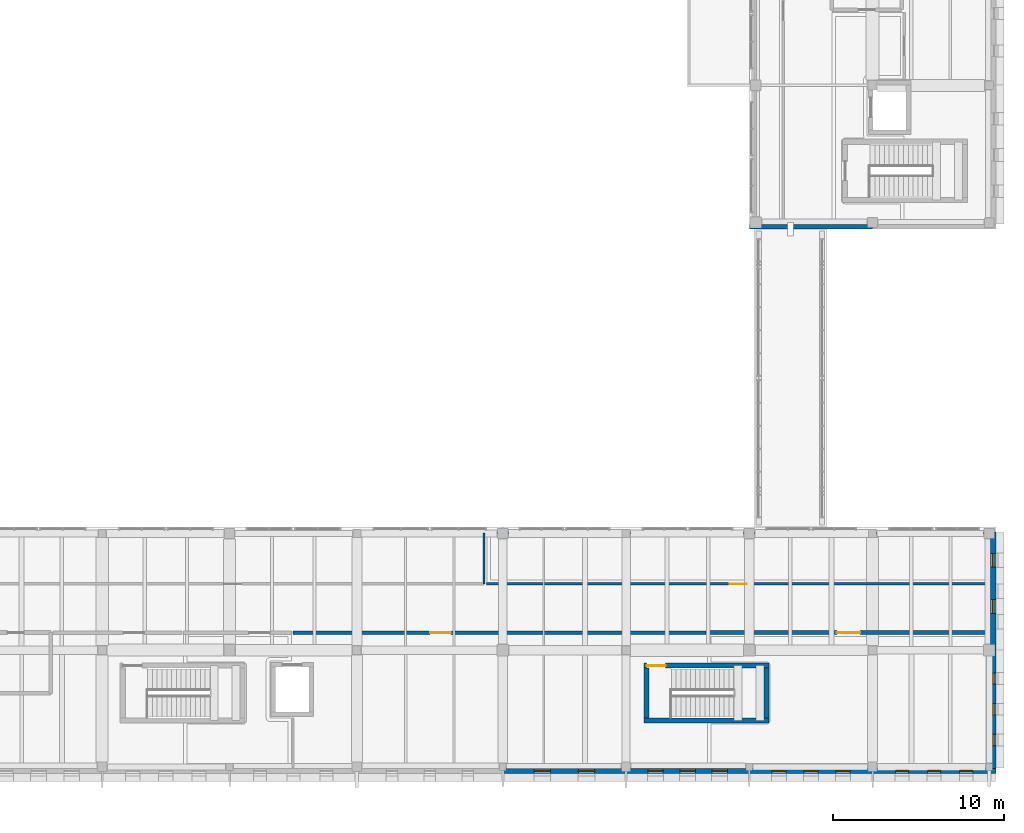
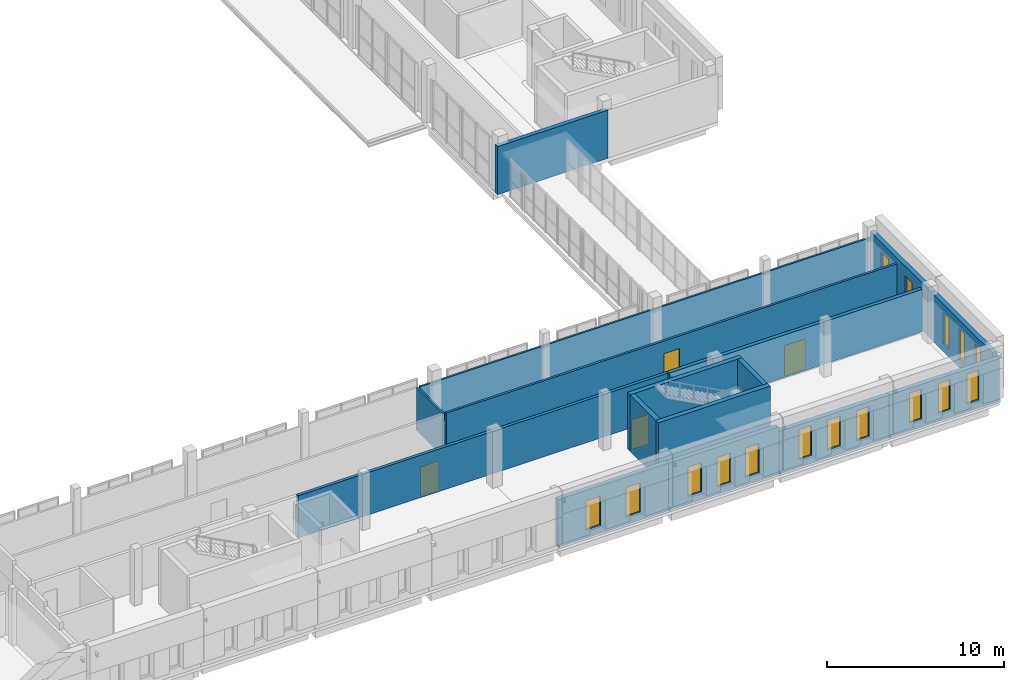
# One storey, part 61 of 76: 16 walls, 16 windows, 4 doors, 20 openings.
"""IFC4 building model written with IfcOpenShell, lengths in metres."""

import ifcopenshell
import ifcopenshell.guid

model = None  # the IFC model being written
_history = None  # IfcOwnerHistory: only IFC2X3 demands one
_inside = {}  # id of a spatial element -> (the spatial element, [elements in it])
_under = {}  # id of a project, library or spatial element -> (it, [spatial elements below it])
_declared = {}  # id of a project -> (the project, [libraries it declares])
_typed = {}  # id of a type object -> (the type object, [elements of that type])
_made_of = {}  # id of a material, layer set ... -> (it, [elements and type objects made of it])


def new_model(schema):
    """Start an empty IFC model of exactly this schema.

    Asked for "IFC4X3", IfcOpenShell would pick the latest addendum, in which some entities
    have other attributes; the version numbers below select the first issue.
    IFC2X3 requires an IfcOwnerHistory on every rooted entity: one is made here for all.
    """
    global model, _history
    if schema == "IFC4X3":
        model = ifcopenshell.file(schema_version=(4, 3, 0, 0))
    else:
        model = ifcopenshell.file(schema=schema)
    _inside.clear()
    _under.clear()
    _declared.clear()
    _typed.clear()
    _made_of.clear()
    _history = None
    if model.schema == "IFC2X3":
        org = make("IfcOrganization", Name="unknown")
        user = make(
            "IfcPersonAndOrganization",
            ThePerson=make("IfcPerson", FamilyName="unknown"),
            TheOrganization=org,
        )
        app = make(
            "IfcApplication",
            ApplicationDeveloper=org,
            Version="unknown",
            ApplicationFullName="unknown",
            ApplicationIdentifier="unknown",
        )
        _history = make(
            "IfcOwnerHistory",
            OwningUser=user,
            OwningApplication=app,
            ChangeAction="ADDED",
            CreationDate=0,
        )
    return model


def make(cls, **values):
    """One entity of the class cls with the attributes given. An attribute that is None is left unset."""
    return model.create_entity(
        cls, **{name: value for name, value in values.items() if value is not None}
    )


def rooted(cls, **values):
    """An entity with a GlobalId (a new one), such as an element, a storey or a relation."""
    return make(cls, GlobalId=ifcopenshell.guid.new(), OwnerHistory=_history, **values)


def si_unit(unit_type, name, prefix=None):
    """IfcSIUnit, for example si_unit("LENGTHUNIT", "METRE", prefix="MILLI")."""
    return make("IfcSIUnit", UnitType=unit_type, Prefix=prefix, Name=name)


def assignment(units):
    """IfcUnitAssignment: the units of a project."""
    return None if units is None else make("IfcUnitAssignment", Units=units)


def point(xyz):
    """IfcCartesianPoint."""
    return None if xyz is None else make("IfcCartesianPoint", Coordinates=xyz)


def direction(xyz):
    """IfcDirection."""
    return None if xyz is None else make("IfcDirection", DirectionRatios=xyz)


def frame(location, z_axis=None, x_axis=None):
    """IfcAxis2Placement3D, a coordinate frame: its origin and axes. An axis left out is left unset."""
    return make(
        "IfcAxis2Placement3D",
        Location=point(location),
        Axis=direction(z_axis),
        RefDirection=direction(x_axis),
    )


def frame_2d(location, x_axis=None):
    """IfcAxis2Placement2D, a coordinate frame in the plane: its origin and x axis."""
    return make(
        "IfcAxis2Placement2D", Location=point(location), RefDirection=direction(x_axis)
    )


def origin():
    """The frame at (0, 0, 0) with its axes left unset."""
    return frame((0.0, 0.0, 0.0))


def place(relative_to, where):
    """IfcLocalPlacement: puts the frame where relative to a parent placement (None: the world)."""
    return make(
        "IfcLocalPlacement", PlacementRelTo=relative_to, RelativePlacement=where
    )


def context(
    kind, dimensions, precision=None, world=None, true_north=None, identifier=None
):
    """IfcGeometricRepresentationContext, for example the 3D "Model" context."""
    return make(
        "IfcGeometricRepresentationContext",
        ContextIdentifier=identifier,
        ContextType=kind,
        CoordinateSpaceDimension=dimensions,
        Precision=precision,
        WorldCoordinateSystem=world,
        TrueNorth=true_north,
    )


def subcontext(parent, identifier, kind, view, scale=None):
    """IfcGeometricRepresentationSubContext, for example "Body" below "Model"."""
    return make(
        "IfcGeometricRepresentationSubContext",
        ContextIdentifier=identifier,
        ContextType=kind,
        ParentContext=parent,
        TargetScale=scale,
        TargetView=view,
    )


def project(units=None, contexts=None):
    """IfcProject with its units and contexts."""
    return rooted(
        "IfcProject",
        Name="project",
        RepresentationContexts=contexts,
        UnitsInContext=assignment(units),
    )


def spatial(cls, under=None, at=None, **own):
    """A site, building, storey or space (cls), placed at a placement, below another one or the project."""
    s = rooted(cls, ObjectPlacement=at, **own)
    if under is not None:
        _under.setdefault(under.id(), (under, []))[1].append(s)
    return s


def profile(cls, at=None, kind="AREA", **sizes):
    """A parametric profile (cls). Its sizes go by their IFC names, for example OverallWidth=200.0."""
    return make(cls, ProfileType=kind, Position=at, **sizes)


def rectangle(**sizes):
    """IfcRectangleProfileDef."""
    return profile("IfcRectangleProfileDef", **sizes)


def extrude(swept, where, along, depth):
    """IfcExtrudedAreaSolid: the profile swept, set in the frame where, extruded along a direction by depth."""
    return make(
        "IfcExtrudedAreaSolid",
        SweptArea=swept,
        Position=where,
        ExtrudedDirection=direction(along),
        Depth=depth,
    )


def shape(context_of_items, identifier, shape_type, items):
    """IfcShapeRepresentation: the items that make up one representation, for example the "Body"."""
    return make(
        "IfcShapeRepresentation",
        ContextOfItems=context_of_items,
        RepresentationIdentifier=identifier,
        RepresentationType=shape_type,
        Items=items,
    )


def material(Name=None, Category=None):
    """IfcMaterial."""
    return make("IfcMaterial", Name=Name, Category=Category)


def layer(
    of_material, thickness, ventilated=None, Name=None, Category=None, Priority=None
):
    """IfcMaterialLayer: one layer of a wall or slab, of a material (None: an air gap)."""
    return make(
        "IfcMaterialLayer",
        Material=of_material,
        LayerThickness=thickness,
        IsVentilated=ventilated,
        Name=Name,
        Category=Category,
        Priority=Priority,
    )


def layer_set(layers, Name=None):
    """IfcMaterialLayerSet."""
    return make("IfcMaterialLayerSet", MaterialLayers=layers, LayerSetName=Name)


def made_of(thing, what):
    """Note that an element or type object is made of a material, layer set ...; save() writes the relation."""
    if what is not None:
        _made_of.setdefault(what.id(), (what, []))[1].append(thing)
    return thing


def type_object(cls, material=None, **own):
    """A type object (cls), such as IfcWallType, which elements share."""
    return made_of(rooted(cls, **own), material)


def element(
    cls,
    number,
    at=None,
    inside=None,
    cuts=None,
    type_object=None,
    material=None,
    context=None,
    identifier="Body",
    shape_type=None,
    held_by="IfcProductDefinitionShape",
    body=None,
    shapes=None,
    **own,
):
    """One element of the class cls, such as IfcWall. Its Tag is "e" and its number.

    at: its placement. inside: the storey or other place that contains it. cuts: it is an
    opening in that element (IfcRelVoidsElement). A single representation is given by context,
    identifier, shape_type and body (its items); several are given by shapes. held_by: the class
    of the entity that holds the representations. save() writes the other relations.
    """
    e = rooted(cls, Tag="e%d" % number, ObjectPlacement=at, **own)
    if body is not None:
        shapes = [shape(context, identifier, shape_type, body)]
    if shapes is not None:
        e.Representation = make(held_by, Representations=shapes)
    if inside is not None:
        _inside.setdefault(inside.id(), (inside, []))[1].append(e)
    if cuts is not None:
        rooted(
            "IfcRelVoidsElement", RelatingBuildingElement=cuts, RelatedOpeningElement=e
        )
    if type_object is not None:
        _typed.setdefault(type_object.id(), (type_object, []))[1].append(e)
    return made_of(e, material)


def fill(opening, filler):
    """IfcRelFillsElement: the door or window that sits in an opening."""
    return rooted(
        "IfcRelFillsElement",
        RelatingOpeningElement=opening,
        RelatedBuildingElement=filler,
    )


def aggregate(whole, parts):
    """IfcRelAggregates: a whole, such as a stair, and the parts it consists of."""
    return rooted("IfcRelAggregates", RelatingObject=whole, RelatedObjects=parts)


def save(model, path):
    """Write the relations noted so far, then the file.

    IfcRelAggregates (storeys below a building ...), IfcRelContainedInSpatialStructure (elements
    in a storey), IfcRelDefinesByType, IfcRelAssociatesMaterial and IfcRelDeclares: one each for
    every whole, place, type object, material and project.
    """
    for whole, parts in _under.values():
        aggregate(whole, parts)
    for where, things in _inside.values():
        rooted(
            "IfcRelContainedInSpatialStructure",
            RelatedElements=things,
            RelatingStructure=where,
        )
    for kind, things in _typed.values():
        rooted("IfcRelDefinesByType", RelatedObjects=things, RelatingType=kind)
    for what, things in _made_of.values():
        rooted("IfcRelAssociatesMaterial", RelatedObjects=things, RelatingMaterial=what)
    for by, libraries in _declared.values():
        rooted("IfcRelDeclares", RelatingContext=by, RelatedDefinitions=libraries)
    model.write(path)


model = new_model("IFC4")

# Units and contexts
model_context = context("Model", 3, precision=1e-05, world=origin(), true_north=direction((0.0, 1.0)))
body_context = subcontext(model_context, "Body", "Model", "MODEL_VIEW")
ifc_project = project(units=[si_unit("LENGTHUNIT", "METRE"), si_unit("AREAUNIT", "SQUARE_METRE"), si_unit("VOLUMEUNIT", "CUBIC_METRE"), si_unit("PLANEANGLEUNIT", "RADIAN"), si_unit("MASSUNIT", "GRAM", prefix="KILO")], contexts=[model_context])

# Site, building, storey
site_placement = place(None, origin())
site = spatial("IfcSite", under=ifc_project, at=site_placement, CompositionType="ELEMENT")
building_placement = place(site_placement, origin())
building = spatial("IfcBuilding", under=site, at=building_placement, Name="Vardoun Plaza Health Centre", CompositionType="ELEMENT")
storey_placement = place(building_placement, frame((0.0, 0.0, 4.5)))
storey = spatial("IfcBuildingStorey", under=building, at=storey_placement, Name="L01", CompositionType="ELEMENT", Elevation=4.5)

# Walls
ifc_material_1 = material(Name="Concrete C40/50", Category="concrete")
ifc_layer_1 = layer(ifc_material_1, 0.300048828125)
ifc_layer_set_1 = layer_set([ifc_layer_1], Name="Concrete C40/50")
wall_type_1 = type_object("IfcWallType", Name="SW-01", PredefinedType="SHEAR", material=ifc_layer_set_1)
wall_1_placement = place(storey_placement, frame((152.050048828125, 7.60009765625, 0.0), z_axis=(0.0, 0.0, 1.0), x_axis=(-1.0, 0.0, 0.0)))
element("IfcWall", 1, at=wall_1_placement, inside=storey, type_object=wall_type_1, Name="Core C9 L01 Shear Wall S", PredefinedType="SHEAR", context=body_context, shape_type="SweptSolid", body=[
    extrude(rectangle(XDim=7.300048828125, YDim=0.300048828125, at=frame_2d((3.64990234375, 0.0))), origin(), (0.0, 0.0, 1.0), 3.905029296875),
])
wall_2_placement = place(storey_placement, frame((144.89990234375, 7.75, 0.0), z_axis=(0.0, 0.0, 1.0), x_axis=(0.0, 1.0, 0.0)))
element("IfcWall", 2, at=wall_2_placement, inside=storey, type_object=wall_type_1, Name="Core C9 L01 Shear Wall W", PredefinedType="SHEAR", context=body_context, shape_type="SweptSolid", body=[
    extrude(rectangle(XDim=2.89990234375, YDim=0.300048828125, at=frame_2d((1.449951171875, 0.0))), origin(), (0.0, 0.0, 1.0), 3.905029296875),
])

# Wall, opening, door
wall_3_placement = place(storey_placement, frame((144.75, 10.800048828125, 0.0), z_axis=(0.0, 0.0, 1.0), x_axis=(1.0, 0.0, 0.0)))
wall_3 = element("IfcWall", 3, at=wall_3_placement, inside=storey, type_object=wall_type_1, Name="Core C9 L01 Shear Wall N", PredefinedType="SHEAR", context=body_context, shape_type="SweptSolid", body=[
    extrude(rectangle(XDim=7.300048828125, YDim=0.300048828125, at=frame_2d((3.64990234375, 0.0))), origin(), (0.0, 0.0, 1.0), 3.905029296875),
])
opening_1_placement = place(wall_3_placement, frame((0.159912109375, 0.0, 0.0)))
opening_1 = element("IfcOpeningElement", 4, at=opening_1_placement, cuts=wall_3, Name="Opening SD-C9-L01", PredefinedType="OPENING", context=body_context, shape_type="SweptSolid", body=[
    extrude(rectangle(XDim=1.10009765625, YDim=2.050048828125, at=frame_2d((0.550048828125, 1.02490234375))), frame((0.0, 0.14990234375, 0.0), z_axis=(0.0, -1.0, 0.0), x_axis=(1.0, 0.0, 0.0)), (0.0, 0.0, 1.0), 0.300048828125),
])
ifc_material_2 = material(Name="Brushed Stainless Steel Grade 316L", Category="steel")
door_type_1 = type_object("IfcDoorType", Name="FD-01", OperationType="NOTDEFINED", PredefinedType="DOOR", material=ifc_material_2)
door_1_placement = place(opening_1_placement, origin())
door_1 = element("IfcDoor", 5, at=door_1_placement, inside=storey, type_object=door_type_1, Name="Stair C9 L01 Fire Door", OperationType="SINGLE_SWING_RIGHT", OverallHeight=2.050048828125, OverallWidth=1.10009765625, PredefinedType="DOOR", context=body_context, shape_type="SweptSolid", body=[
    extrude(rectangle(XDim=1.10009765625, YDim=2.050048828125, at=frame_2d((0.550048828125, 1.02490234375))), frame((0.0, 0.02490234375, 0.0), z_axis=(0.0, -1.0, 0.0), x_axis=(1.0, 0.0, 0.0)), (0.0, 0.0, 1.0), 0.050048828125),
])
fill(opening_1, door_1)

# Walls
wall_4_placement = place(storey_placement, frame((151.89990234375, 10.64990234375, 0.0), z_axis=(0.0, 0.0, 1.0), x_axis=(0.0, -1.0, 0.0)))
element("IfcWall", 6, at=wall_4_placement, inside=storey, type_object=wall_type_1, Name="Core C9 L01 Shear Wall E", PredefinedType="SHEAR", context=body_context, shape_type="SweptSolid", body=[
    extrude(rectangle(XDim=2.89990234375, YDim=0.300048828125, at=frame_2d((1.449951171875, 0.0))), origin(), (0.0, 0.0, 1.0), 3.905029296875),
])
ifc_material_3 = material(Name="Pale Limestone Concrete C35/45", Category="masonry")
ifc_layer_2 = layer(ifc_material_3, 0.264892578125)
ifc_layer_set_2 = layer_set([ifc_layer_2], Name="Pale Limestone Concrete C35/45")
wall_type_2 = type_object("IfcWallType", Name="EW-06", PredefinedType="STANDARD", material=ifc_layer_set_2)
wall_5_placement = place(storey_placement, frame((158.10009765625, 36.4326171875, 0.0), z_axis=(0.0, 0.0, 1.0), x_axis=(-1.0, 0.0, 0.0)))
element("IfcWall", 7, at=wall_5_placement, inside=storey, type_object=wall_type_2, Name="V6 L01 Exterior Wall EW-V6-434", PredefinedType="STANDARD", context=body_context, shape_type="SweptSolid", body=[
    extrude(rectangle(XDim=7.2001953125, YDim=0.264892578125, at=frame_2d((3.60009765625, 0.0))), origin(), (0.0, 0.0, 1.0), 3.31494140625),
])

# Wall, openings, windows
ifc_material_4 = material(Name="Pale Limestone Concrete C35/45", Category="masonry")
ifc_layer_3 = layer(ifc_material_4, 0.294921875)
ifc_layer_set_3 = layer_set([ifc_layer_3], Name="Pale Limestone Concrete C35/45")
wall_type_3 = type_object("IfcWallType", Name="EW-04", PredefinedType="STANDARD", material=ifc_layer_set_3)
wall_6_placement = place(storey_placement, frame((165.152587890625, 18.60498046875, 0.0), z_axis=(0.0, 0.0, 1.0), x_axis=(0.0, -1.0, 0.0)))
wall_6 = element("IfcWall", 8, at=wall_6_placement, inside=storey, type_object=wall_type_3, Name="V5 L01 Exterior Wall EW-V5-380", PredefinedType="STANDARD", context=body_context, shape_type="SweptSolid", body=[
    extrude(rectangle(XDim=6.905029296875, YDim=0.294921875, at=frame_2d((3.45263671875, 0.0))), origin(), (0.0, 0.0, 1.0), 3.27001953125),
])
opening_2_placement = place(wall_6_placement, frame((1.257080078125, 0.0, 0.550048828125)))
opening_2 = element("IfcOpeningElement", 9, at=opening_2_placement, cuts=wall_6, Name="Opening W-24-009", PredefinedType="OPENING", context=body_context, shape_type="SweptSolid", body=[
    extrude(rectangle(XDim=0.800048828125, YDim=2.0400390625, at=frame_2d((0.39990234375, 1.02001953125))), frame((0.0, 0.1474609375, 0.0), z_axis=(0.0, -1.0, 0.0), x_axis=(1.0, 0.0, 0.0)), (0.0, 0.0, 1.0), 0.294921875),
])
opening_3_placement = place(wall_6_placement, frame((3.94775390625, 0.0, 0.550048828125)))
opening_3 = element("IfcOpeningElement", 10, at=opening_3_placement, cuts=wall_6, Name="Opening W-24-010", PredefinedType="OPENING", context=body_context, shape_type="SweptSolid", body=[
    extrude(rectangle(XDim=0.800048828125, YDim=2.0400390625, at=frame_2d((0.39990234375, 1.02001953125))), frame((0.0, 0.1474609375, 0.0), z_axis=(0.0, -1.0, 0.0), x_axis=(1.0, 0.0, 0.0)), (0.0, 0.0, 1.0), 0.294921875),
])
ifc_material_5 = material(Name="Aluminium Alloy EN AW-6063-T6 and Low-E Glass", Category="aluminium")
window_type_1 = type_object("IfcWindowType", Name="W-24", PartitioningType="SINGLE_PANEL", PredefinedType="WINDOW", material=ifc_material_5)
window_1_placement = place(opening_2_placement, origin())
window_1 = element("IfcWindow", 11, at=window_1_placement, inside=storey, type_object=window_type_1, Name="V5 L01 Deep-Punched Slot Window W-24-567", OverallHeight=2.0400390625, OverallWidth=0.800048828125, PartitioningType="SINGLE_PANEL", PredefinedType="WINDOW", context=body_context, shape_type="SweptSolid", body=[
    extrude(rectangle(XDim=0.800048828125, YDim=2.0400390625, at=frame_2d((0.39990234375, 1.02001953125))), frame((0.0, 0.030029296875, 0.0), z_axis=(0.0, -1.0, 0.0), x_axis=(1.0, 0.0, 0.0)), (0.0, 0.0, 1.0), 0.06005859375),
])
fill(opening_2, window_1)
window_2_placement = place(opening_3_placement, origin())
window_2 = element("IfcWindow", 12, at=window_2_placement, inside=storey, type_object=window_type_1, Name="V5 L01 Deep-Punched Slot Window W-24-569", OverallHeight=2.0400390625, OverallWidth=0.800048828125, PartitioningType="SINGLE_PANEL", PredefinedType="WINDOW", context=body_context, shape_type="SweptSolid", body=[
    extrude(rectangle(XDim=0.800048828125, YDim=2.0400390625, at=frame_2d((0.39990234375, 1.02001953125))), frame((0.0, 0.030029296875, 0.0), z_axis=(0.0, -1.0, 0.0), x_axis=(1.0, 0.0, 0.0)), (0.0, 0.0, 1.0), 0.06005859375),
])
fill(opening_3, window_2)

wall_7_placement = place(storey_placement, frame((165.152587890625, 11.699951171875, 0.0), z_axis=(0.0, 0.0, 1.0), x_axis=(0.0, -1.0, 0.0)))
wall_7 = element("IfcWall", 13, at=wall_7_placement, inside=storey, type_object=wall_type_3, Name="V5 L01 Exterior Wall EW-V5-381", PredefinedType="STANDARD", context=body_context, shape_type="SweptSolid", body=[
    extrude(rectangle(XDim=6.905029296875, YDim=0.294921875, at=frame_2d((3.45263671875, 0.0))), origin(), (0.0, 0.0, 1.0), 3.27001953125),
])
opening_4_placement = place(wall_7_placement, frame((1.332275390625, 0.0, 0.550048828125)))
opening_4 = element("IfcOpeningElement", 14, at=opening_4_placement, cuts=wall_7, Name="Opening W-31-016", PredefinedType="OPENING", context=body_context, shape_type="SweptSolid", body=[
    extrude(rectangle(XDim=0.64990234375, YDim=2.139892578125, at=frame_2d((0.324951171875, 1.06982421875))), frame((0.0, 0.1474609375, 0.0), z_axis=(0.0, -1.0, 0.0), x_axis=(1.0, 0.0, 0.0)), (0.0, 0.0, 1.0), 0.294921875),
])
opening_5_placement = place(wall_7_placement, frame((3.12744140625, 0.0, 0.550048828125)))
opening_5 = element("IfcOpeningElement", 15, at=opening_5_placement, cuts=wall_7, Name="Opening W-31-017", PredefinedType="OPENING", context=body_context, shape_type="SweptSolid", body=[
    extrude(rectangle(XDim=0.64990234375, YDim=2.139892578125, at=frame_2d((0.324951171875, 1.06982421875))), frame((0.0, 0.1474609375, 0.0), z_axis=(0.0, -1.0, 0.0), x_axis=(1.0, 0.0, 0.0)), (0.0, 0.0, 1.0), 0.294921875),
])
opening_6_placement = place(wall_7_placement, frame((4.9228515625, 0.0, 0.550048828125)))
opening_6 = element("IfcOpeningElement", 16, at=opening_6_placement, cuts=wall_7, Name="Opening W-31-018", PredefinedType="OPENING", context=body_context, shape_type="SweptSolid", body=[
    extrude(rectangle(XDim=0.64990234375, YDim=2.139892578125, at=frame_2d((0.324951171875, 1.06982421875))), frame((0.0, 0.1474609375, 0.0), z_axis=(0.0, -1.0, 0.0), x_axis=(1.0, 0.0, 0.0)), (0.0, 0.0, 1.0), 0.294921875),
])
ifc_material_6 = material(Name="Aluminium Alloy EN AW-6063-T6 and Low-E Glass", Category="aluminium")
window_type_2 = type_object("IfcWindowType", Name="W-31", PartitioningType="SINGLE_PANEL", PredefinedType="WINDOW", material=ifc_material_6)
window_3_placement = place(opening_4_placement, origin())
window_3 = element("IfcWindow", 17, at=window_3_placement, inside=storey, type_object=window_type_2, Name="V5 L01 Deep-Punched Slot Window W-31-570", OverallHeight=2.139892578125, OverallWidth=0.64990234375, PartitioningType="SINGLE_PANEL", PredefinedType="WINDOW", context=body_context, shape_type="SweptSolid", body=[
    extrude(rectangle(XDim=0.64990234375, YDim=2.139892578125, at=frame_2d((0.324951171875, 1.06982421875))), frame((0.0, 0.030029296875, 0.0), z_axis=(0.0, -1.0, 0.0), x_axis=(1.0, 0.0, 0.0)), (0.0, 0.0, 1.0), 0.06005859375),
])
fill(opening_4, window_3)
window_4_placement = place(opening_5_placement, origin())
window_4 = element("IfcWindow", 18, at=window_4_placement, inside=storey, type_object=window_type_2, Name="V5 L01 Deep-Punched Slot Window W-31-571", OverallHeight=2.139892578125, OverallWidth=0.64990234375, PartitioningType="SINGLE_PANEL", PredefinedType="WINDOW", context=body_context, shape_type="SweptSolid", body=[
    extrude(rectangle(XDim=0.64990234375, YDim=2.139892578125, at=frame_2d((0.324951171875, 1.06982421875))), frame((0.0, 0.030029296875, 0.0), z_axis=(0.0, -1.0, 0.0), x_axis=(1.0, 0.0, 0.0)), (0.0, 0.0, 1.0), 0.06005859375),
])
fill(opening_5, window_4)
window_5_placement = place(opening_6_placement, origin())
window_5 = element("IfcWindow", 19, at=window_5_placement, inside=storey, type_object=window_type_2, Name="V5 L01 Deep-Punched Slot Window W-31-572", OverallHeight=2.139892578125, OverallWidth=0.64990234375, PartitioningType="SINGLE_PANEL", PredefinedType="WINDOW", context=body_context, shape_type="SweptSolid", body=[
    extrude(rectangle(XDim=0.64990234375, YDim=2.139892578125, at=frame_2d((0.324951171875, 1.06982421875))), frame((0.0, 0.030029296875, 0.0), z_axis=(0.0, -1.0, 0.0), x_axis=(1.0, 0.0, 0.0)), (0.0, 0.0, 1.0), 0.06005859375),
])
fill(opening_6, window_5)

wall_8_placement = place(storey_placement, frame((165.300048828125, 4.6474609375, 0.0), z_axis=(0.0, 0.0, 1.0), x_axis=(-1.0, 0.0, 0.0)))
wall_8 = element("IfcWall", 20, at=wall_8_placement, inside=storey, type_object=wall_type_3, Name="V5 L01 Exterior Wall EW-V5-382", PredefinedType="STANDARD", context=body_context, shape_type="SweptSolid", body=[
    extrude(rectangle(XDim=7.199951171875, YDim=0.294921875, at=frame_2d((3.60009765625, 0.0))), origin(), (0.0, 0.0, 1.0), 2.93994140625),
])
opening_7_placement = place(wall_8_placement, frame((1.343017578125, 0.0, 0.550048828125)))
opening_7 = element("IfcOpeningElement", 21, at=opening_7_placement, cuts=wall_8, Name="Opening W-33-008", PredefinedType="OPENING", context=body_context, shape_type="SweptSolid", body=[
    extrude(rectangle(XDim=0.77001953125, YDim=2.06005859375, at=frame_2d((0.385009765625, 1.030029296875))), frame((0.0, 0.1474609375, 0.0), z_axis=(0.0, -1.0, 0.0), x_axis=(1.0, 0.0, 0.0)), (0.0, 0.0, 1.0), 0.294921875),
])
opening_8_placement = place(wall_8_placement, frame((3.215087890625, 0.0, 0.550048828125)))
opening_8 = element("IfcOpeningElement", 22, at=opening_8_placement, cuts=wall_8, Name="Opening W-33-009", PredefinedType="OPENING", context=body_context, shape_type="SweptSolid", body=[
    extrude(rectangle(XDim=0.77001953125, YDim=2.06005859375, at=frame_2d((0.385009765625, 1.030029296875))), frame((0.0, 0.1474609375, 0.0), z_axis=(0.0, -1.0, 0.0), x_axis=(1.0, 0.0, 0.0)), (0.0, 0.0, 1.0), 0.294921875),
])
opening_9_placement = place(wall_8_placement, frame((5.0869140625, 0.0, 0.550048828125)))
opening_9 = element("IfcOpeningElement", 23, at=opening_9_placement, cuts=wall_8, Name="Opening W-33-010", PredefinedType="OPENING", context=body_context, shape_type="SweptSolid", body=[
    extrude(rectangle(XDim=0.77001953125, YDim=2.06005859375, at=frame_2d((0.385009765625, 1.030029296875))), frame((0.0, 0.1474609375, 0.0), z_axis=(0.0, -1.0, 0.0), x_axis=(1.0, 0.0, 0.0)), (0.0, 0.0, 1.0), 0.294921875),
])
ifc_material_7 = material(Name="Aluminium Alloy EN AW-6063-T6 and Low-E Glass", Category="aluminium")
window_type_3 = type_object("IfcWindowType", Name="W-33", PartitioningType="SINGLE_PANEL", PredefinedType="WINDOW", material=ifc_material_7)
window_6_placement = place(opening_7_placement, origin())
window_6 = element("IfcWindow", 24, at=window_6_placement, inside=storey, type_object=window_type_3, Name="V5 L01 Deep-Punched Slot Window W-33-573", OverallHeight=2.06005859375, OverallWidth=0.77001953125, PartitioningType="SINGLE_PANEL", PredefinedType="WINDOW", context=body_context, shape_type="SweptSolid", body=[
    extrude(rectangle(XDim=0.77001953125, YDim=2.06005859375, at=frame_2d((0.385009765625, 1.030029296875))), frame((0.0, 0.030029296875, 0.0), z_axis=(0.0, -1.0, 0.0), x_axis=(1.0, 0.0, 0.0)), (0.0, 0.0, 1.0), 0.06005859375),
])
fill(opening_7, window_6)
window_7_placement = place(opening_8_placement, origin())
window_7 = element("IfcWindow", 25, at=window_7_placement, inside=storey, type_object=window_type_3, Name="V5 L01 Deep-Punched Slot Window W-33-574", OverallHeight=2.06005859375, OverallWidth=0.77001953125, PartitioningType="SINGLE_PANEL", PredefinedType="WINDOW", context=body_context, shape_type="SweptSolid", body=[
    extrude(rectangle(XDim=0.77001953125, YDim=2.06005859375, at=frame_2d((0.385009765625, 1.030029296875))), frame((0.0, 0.030029296875, 0.0), z_axis=(0.0, -1.0, 0.0), x_axis=(1.0, 0.0, 0.0)), (0.0, 0.0, 1.0), 0.06005859375),
])
fill(opening_8, window_7)
window_8_placement = place(opening_9_placement, origin())
window_8 = element("IfcWindow", 26, at=window_8_placement, inside=storey, type_object=window_type_3, Name="V5 L01 Deep-Punched Slot Window W-33-575", OverallHeight=2.06005859375, OverallWidth=0.77001953125, PartitioningType="SINGLE_PANEL", PredefinedType="WINDOW", context=body_context, shape_type="SweptSolid", body=[
    extrude(rectangle(XDim=0.77001953125, YDim=2.06005859375, at=frame_2d((0.385009765625, 1.030029296875))), frame((0.0, 0.030029296875, 0.0), z_axis=(0.0, -1.0, 0.0), x_axis=(1.0, 0.0, 0.0)), (0.0, 0.0, 1.0), 0.06005859375),
])
fill(opening_9, window_8)

wall_9_placement = place(storey_placement, frame((158.10009765625, 4.6474609375, 0.0), z_axis=(0.0, 0.0, 1.0), x_axis=(-1.0, 0.0, 0.0)))
wall_9 = element("IfcWall", 27, at=wall_9_placement, inside=storey, type_object=wall_type_3, Name="V5 L01 Exterior Wall EW-V5-383", PredefinedType="STANDARD", context=body_context, shape_type="SweptSolid", body=[
    extrude(rectangle(XDim=7.2001953125, YDim=0.294921875, at=frame_2d((3.60009765625, 0.0))), origin(), (0.0, 0.0, 1.0), 2.93994140625),
])
opening_10_placement = place(wall_9_placement, frame((1.31298828125, 0.0, 0.550048828125)))
opening_10 = element("IfcOpeningElement", 28, at=opening_10_placement, cuts=wall_9, Name="Opening W-34-008", PredefinedType="OPENING", context=body_context, shape_type="SweptSolid", body=[
    extrude(rectangle(XDim=0.830078125, YDim=2.06005859375, at=frame_2d((0.4150390625, 1.030029296875))), frame((0.0, 0.1474609375, 0.0), z_axis=(0.0, -1.0, 0.0), x_axis=(1.0, 0.0, 0.0)), (0.0, 0.0, 1.0), 0.294921875),
])
opening_11_placement = place(wall_9_placement, frame((3.18505859375, 0.0, 0.550048828125)))
opening_11 = element("IfcOpeningElement", 29, at=opening_11_placement, cuts=wall_9, Name="Opening W-34-009", PredefinedType="OPENING", context=body_context, shape_type="SweptSolid", body=[
    extrude(rectangle(XDim=0.830078125, YDim=2.06005859375, at=frame_2d((0.4150390625, 1.030029296875))), frame((0.0, 0.1474609375, 0.0), z_axis=(0.0, -1.0, 0.0), x_axis=(1.0, 0.0, 0.0)), (0.0, 0.0, 1.0), 0.294921875),
])
opening_12_placement = place(wall_9_placement, frame((5.056884765625, 0.0, 0.550048828125)))
opening_12 = element("IfcOpeningElement", 30, at=opening_12_placement, cuts=wall_9, Name="Opening W-34-010", PredefinedType="OPENING", context=body_context, shape_type="SweptSolid", body=[
    extrude(rectangle(XDim=0.830078125, YDim=2.06005859375, at=frame_2d((0.4150390625, 1.030029296875))), frame((0.0, 0.1474609375, 0.0), z_axis=(0.0, -1.0, 0.0), x_axis=(1.0, 0.0, 0.0)), (0.0, 0.0, 1.0), 0.294921875),
])
ifc_material_8 = material(Name="Aluminium Alloy EN AW-6063-T6 and Low-E Glass", Category="aluminium")
window_type_4 = type_object("IfcWindowType", Name="W-34", PartitioningType="SINGLE_PANEL", PredefinedType="WINDOW", material=ifc_material_8)
window_9_placement = place(opening_10_placement, origin())
window_9 = element("IfcWindow", 31, at=window_9_placement, inside=storey, type_object=window_type_4, Name="V5 L01 Deep-Punched Slot Window W-34-576", OverallHeight=2.06005859375, OverallWidth=0.830078125, PartitioningType="SINGLE_PANEL", PredefinedType="WINDOW", context=body_context, shape_type="SweptSolid", body=[
    extrude(rectangle(XDim=0.830078125, YDim=2.06005859375, at=frame_2d((0.4150390625, 1.030029296875))), frame((0.0, 0.030029296875, 0.0), z_axis=(0.0, -1.0, 0.0), x_axis=(1.0, 0.0, 0.0)), (0.0, 0.0, 1.0), 0.06005859375),
])
fill(opening_10, window_9)
window_10_placement = place(opening_11_placement, origin())
window_10 = element("IfcWindow", 32, at=window_10_placement, inside=storey, type_object=window_type_4, Name="V5 L01 Deep-Punched Slot Window W-34-577", OverallHeight=2.06005859375, OverallWidth=0.830078125, PartitioningType="SINGLE_PANEL", PredefinedType="WINDOW", context=body_context, shape_type="SweptSolid", body=[
    extrude(rectangle(XDim=0.830078125, YDim=2.06005859375, at=frame_2d((0.4150390625, 1.030029296875))), frame((0.0, 0.030029296875, 0.0), z_axis=(0.0, -1.0, 0.0), x_axis=(1.0, 0.0, 0.0)), (0.0, 0.0, 1.0), 0.06005859375),
])
fill(opening_11, window_10)
window_11_placement = place(opening_12_placement, origin())
window_11 = element("IfcWindow", 33, at=window_11_placement, inside=storey, type_object=window_type_4, Name="V5 L01 Deep-Punched Slot Window W-34-578", OverallHeight=2.06005859375, OverallWidth=0.830078125, PartitioningType="SINGLE_PANEL", PredefinedType="WINDOW", context=body_context, shape_type="SweptSolid", body=[
    extrude(rectangle(XDim=0.830078125, YDim=2.06005859375, at=frame_2d((0.4150390625, 1.030029296875))), frame((0.0, 0.030029296875, 0.0), z_axis=(0.0, -1.0, 0.0), x_axis=(1.0, 0.0, 0.0)), (0.0, 0.0, 1.0), 0.06005859375),
])
fill(opening_12, window_11)

wall_10_placement = place(storey_placement, frame((150.89990234375, 4.6474609375, 0.0), z_axis=(0.0, 0.0, 1.0), x_axis=(-1.0, 0.0, 0.0)))
wall_10 = element("IfcWall", 34, at=wall_10_placement, inside=storey, type_object=wall_type_3, Name="V5 L01 Exterior Wall EW-V5-384", PredefinedType="STANDARD", context=body_context, shape_type="SweptSolid", body=[
    extrude(rectangle(XDim=7.199951171875, YDim=0.294921875, at=frame_2d((3.60009765625, 0.0))), origin(), (0.0, 0.0, 1.0), 3.27001953125),
])
opening_13_placement = place(wall_10_placement, frame((1.282958984375, 0.0, 0.550048828125)))
opening_13 = element("IfcOpeningElement", 35, at=opening_13_placement, cuts=wall_10, Name="Opening W-35-015", PredefinedType="OPENING", context=body_context, shape_type="SweptSolid", body=[
    extrude(rectangle(XDim=0.889892578125, YDim=2.02001953125, at=frame_2d((0.44482421875, 1.010009765625))), frame((0.0, 0.1474609375, 0.0), z_axis=(0.0, -1.0, 0.0), x_axis=(1.0, 0.0, 0.0)), (0.0, 0.0, 1.0), 0.294921875),
])
opening_14_placement = place(wall_10_placement, frame((3.155029296875, 0.0, 0.550048828125)))
opening_14 = element("IfcOpeningElement", 36, at=opening_14_placement, cuts=wall_10, Name="Opening W-35-016", PredefinedType="OPENING", context=body_context, shape_type="SweptSolid", body=[
    extrude(rectangle(XDim=0.889892578125, YDim=2.02001953125, at=frame_2d((0.44482421875, 1.010009765625))), frame((0.0, 0.1474609375, 0.0), z_axis=(0.0, -1.0, 0.0), x_axis=(1.0, 0.0, 0.0)), (0.0, 0.0, 1.0), 0.294921875),
])
opening_15_placement = place(wall_10_placement, frame((5.027099609375, 0.0, 0.550048828125)))
opening_15 = element("IfcOpeningElement", 37, at=opening_15_placement, cuts=wall_10, Name="Opening W-35-017", PredefinedType="OPENING", context=body_context, shape_type="SweptSolid", body=[
    extrude(rectangle(XDim=0.889892578125, YDim=2.02001953125, at=frame_2d((0.44482421875, 1.010009765625))), frame((0.0, 0.1474609375, 0.0), z_axis=(0.0, -1.0, 0.0), x_axis=(1.0, 0.0, 0.0)), (0.0, 0.0, 1.0), 0.294921875),
])
ifc_material_9 = material(Name="Aluminium Alloy EN AW-6063-T6 and Low-E Glass", Category="aluminium")
window_type_5 = type_object("IfcWindowType", Name="W-35", PartitioningType="DOUBLE_PANEL_VERTICAL", PredefinedType="WINDOW", material=ifc_material_9)
window_12_placement = place(opening_13_placement, origin())
window_12 = element("IfcWindow", 38, at=window_12_placement, inside=storey, type_object=window_type_5, Name="V5 L01 Deep-Punched Slot Window W-35-579", OverallHeight=2.02001953125, OverallWidth=0.889892578125, PartitioningType="DOUBLE_PANEL_VERTICAL", PredefinedType="WINDOW", context=body_context, shape_type="SweptSolid", body=[
    extrude(rectangle(XDim=0.889892578125, YDim=2.02001953125, at=frame_2d((0.44482421875, 1.010009765625))), frame((0.0, 0.030029296875, 0.0), z_axis=(0.0, -1.0, 0.0), x_axis=(1.0, 0.0, 0.0)), (0.0, 0.0, 1.0), 0.06005859375),
])
fill(opening_13, window_12)
window_13_placement = place(opening_14_placement, origin())
window_13 = element("IfcWindow", 39, at=window_13_placement, inside=storey, type_object=window_type_5, Name="V5 L01 Deep-Punched Slot Window W-35-580", OverallHeight=2.02001953125, OverallWidth=0.889892578125, PartitioningType="DOUBLE_PANEL_VERTICAL", PredefinedType="WINDOW", context=body_context, shape_type="SweptSolid", body=[
    extrude(rectangle(XDim=0.889892578125, YDim=2.02001953125, at=frame_2d((0.44482421875, 1.010009765625))), frame((0.0, 0.030029296875, 0.0), z_axis=(0.0, -1.0, 0.0), x_axis=(1.0, 0.0, 0.0)), (0.0, 0.0, 1.0), 0.06005859375),
])
fill(opening_14, window_13)
window_14_placement = place(opening_15_placement, origin())
window_14 = element("IfcWindow", 40, at=window_14_placement, inside=storey, type_object=window_type_5, Name="V5 L01 Deep-Punched Slot Window W-35-581", OverallHeight=2.02001953125, OverallWidth=0.889892578125, PartitioningType="DOUBLE_PANEL_VERTICAL", PredefinedType="WINDOW", context=body_context, shape_type="SweptSolid", body=[
    extrude(rectangle(XDim=0.889892578125, YDim=2.02001953125, at=frame_2d((0.44482421875, 1.010009765625))), frame((0.0, 0.030029296875, 0.0), z_axis=(0.0, -1.0, 0.0), x_axis=(1.0, 0.0, 0.0)), (0.0, 0.0, 1.0), 0.06005859375),
])
fill(opening_15, window_14)

wall_11_placement = place(storey_placement, frame((143.699951171875, 4.6474609375, 0.0), z_axis=(0.0, 0.0, 1.0), x_axis=(-1.0, 0.0, 0.0)))
wall_11 = element("IfcWall", 41, at=wall_11_placement, inside=storey, type_object=wall_type_3, Name="V5 L01 Exterior Wall EW-V5-385", PredefinedType="STANDARD", context=body_context, shape_type="SweptSolid", body=[
    extrude(rectangle(XDim=7.199951171875, YDim=0.294921875, at=frame_2d((3.60009765625, 0.0))), origin(), (0.0, 0.0, 1.0), 3.2900390625),
])
opening_16_placement = place(wall_11_placement, frame((1.8291015625, 0.0, 0.550048828125)))
opening_16 = element("IfcOpeningElement", 42, at=opening_16_placement, cuts=wall_11, Name="Opening W-36-006", PredefinedType="OPENING", context=body_context, shape_type="SweptSolid", body=[
    extrude(rectangle(XDim=0.949951171875, YDim=2.02001953125, at=frame_2d((0.47509765625, 1.010009765625))), frame((0.0, 0.1474609375, 0.0), z_axis=(0.0, -1.0, 0.0), x_axis=(1.0, 0.0, 0.0)), (0.0, 0.0, 1.0), 0.294921875),
])
opening_17_placement = place(wall_11_placement, frame((4.4208984375, 0.0, 0.550048828125)))
opening_17 = element("IfcOpeningElement", 43, at=opening_17_placement, cuts=wall_11, Name="Opening W-36-007", PredefinedType="OPENING", context=body_context, shape_type="SweptSolid", body=[
    extrude(rectangle(XDim=0.949951171875, YDim=2.02001953125, at=frame_2d((0.47509765625, 1.010009765625))), frame((0.0, 0.1474609375, 0.0), z_axis=(0.0, -1.0, 0.0), x_axis=(1.0, 0.0, 0.0)), (0.0, 0.0, 1.0), 0.294921875),
])
ifc_material_10 = material(Name="Aluminium Alloy EN AW-6063-T6 and Low-E Glass", Category="aluminium")
window_type_6 = type_object("IfcWindowType", Name="W-36", PartitioningType="DOUBLE_PANEL_VERTICAL", PredefinedType="WINDOW", material=ifc_material_10)
window_15_placement = place(opening_16_placement, origin())
window_15 = element("IfcWindow", 44, at=window_15_placement, inside=storey, type_object=window_type_6, Name="V5 L01 Deep-Punched Slot Window W-36-582", OverallHeight=2.02001953125, OverallWidth=0.949951171875, PartitioningType="DOUBLE_PANEL_VERTICAL", PredefinedType="WINDOW", context=body_context, shape_type="SweptSolid", body=[
    extrude(rectangle(XDim=0.949951171875, YDim=2.02001953125, at=frame_2d((0.47509765625, 1.010009765625))), frame((0.0, 0.030029296875, 0.0), z_axis=(0.0, -1.0, 0.0), x_axis=(1.0, 0.0, 0.0)), (0.0, 0.0, 1.0), 0.06005859375),
])
fill(opening_16, window_15)
window_16_placement = place(opening_17_placement, origin())
window_16 = element("IfcWindow", 45, at=window_16_placement, inside=storey, type_object=window_type_6, Name="V5 L01 Deep-Punched Slot Window W-36-583", OverallHeight=2.02001953125, OverallWidth=0.949951171875, PartitioningType="DOUBLE_PANEL_VERTICAL", PredefinedType="WINDOW", context=body_context, shape_type="SweptSolid", body=[
    extrude(rectangle(XDim=0.949951171875, YDim=2.02001953125, at=frame_2d((0.47509765625, 1.010009765625))), frame((0.0, 0.030029296875, 0.0), z_axis=(0.0, -1.0, 0.0), x_axis=(1.0, 0.0, 0.0)), (0.0, 0.0, 1.0), 0.06005859375),
])
fill(opening_17, window_16)

# Wall, opening, door
ifc_material_11 = material(Name="Acoustic Gypsum Twin-Stud", Category="steel")
ifc_layer_4 = layer(ifc_material_11, 0.14990234375)
ifc_layer_set_4 = layer_set([ifc_layer_4], Name="Acoustic Gypsum Twin-Stud")
wall_type_4 = type_object("IfcWallType", Name="IW-04", PredefinedType="PARTITIONING", material=ifc_layer_set_4)
wall_12_placement = place(storey_placement, frame((164.949951171875, 15.570068359375, 0.0), z_axis=(0.0, 0.0, 1.0), x_axis=(-1.0, 0.0, 0.0)))
wall_12 = element("IfcWall", 46, at=wall_12_placement, inside=storey, type_object=wall_type_4, Name="Day Surgery Reception Lounge Partition Wall", PredefinedType="PARTITIONING", context=body_context, shape_type="SweptSolid", body=[
    extrude(rectangle(XDim=29.389892578125, YDim=0.14990234375, at=frame_2d((14.69482421875, 0.0))), origin(), (0.0, 0.0, 1.0), 2.925048828125),
])
opening_18_placement = place(wall_12_placement, frame((14.195068359375, 0.0, 0.0)))
opening_18 = element("IfcOpeningElement", 47, at=opening_18_placement, cuts=wall_12, Name="Opening D-L01-145", PredefinedType="OPENING", context=body_context, shape_type="SweptSolid", body=[
    extrude(rectangle(XDim=1.0, YDim=2.050048828125, at=frame_2d((0.5, 1.02490234375))), frame((0.0, 0.074951171875, 0.0), z_axis=(0.0, -1.0, 0.0), x_axis=(1.0, 0.0, 0.0)), (0.0, 0.0, 1.0), 0.14990234375),
])
ifc_material_12 = material(Name="Antimicrobial Acoustic Timber and Steel S275JR", Category="steel")
door_type_2 = type_object("IfcDoorType", Name="CD-03", OperationType="NOTDEFINED", PredefinedType="DOOR", material=ifc_material_12)
door_2_placement = place(opening_18_placement, origin())
door_2 = element("IfcDoor", 48, at=door_2_placement, inside=storey, type_object=door_type_2, Name="Day Surgery Reception Lounge Door D-L01-145", OperationType="SINGLE_SWING_LEFT", OverallHeight=2.050048828125, OverallWidth=1.0, PredefinedType="DOOR", context=body_context, shape_type="SweptSolid", body=[
    extrude(rectangle(XDim=1.0, YDim=2.050048828125, at=frame_2d((0.5, 1.02490234375))), frame((0.0, 0.02490234375, 0.0), z_axis=(0.0, -1.0, 0.0), x_axis=(1.0, 0.0, 0.0)), (0.0, 0.0, 1.0), 0.050048828125),
])
fill(opening_18, door_2)

# Walls
ifc_material_13 = material(Name="Standard Clinical Sub-Partition", Category="steel")
ifc_layer_5 = layer(ifc_material_13, 0.125)
ifc_layer_set_5 = layer_set([ifc_layer_5], Name="Standard Clinical Sub-Partition")
wall_type_5 = type_object("IfcWallType", Name="IW-11", PredefinedType="PARTITIONING", material=ifc_layer_set_5)
wall_13_placement = place(storey_placement, frame((135.39990234375, 18.550048828125, 0.0), z_axis=(0.0, 0.0, 1.0), x_axis=(0.0, -1.0, 0.0)))
element("IfcWall", 49, at=wall_13_placement, inside=storey, type_object=wall_type_5, Name="Surgical Staff Scrub and Changing Enclosure Partition", PredefinedType="PARTITIONING", context=body_context, shape_type="SweptSolid", body=[
    extrude(rectangle(XDim=2.97998046875, YDim=0.125, at=frame_2d((1.489990234375, 0.0))), origin(), (0.0, 0.0, 1.0), 2.925048828125),
])
wall_14_placement = place(storey_placement, frame((135.56005859375, 18.550048828125, 0.0), z_axis=(0.0, 0.0, 1.0), x_axis=(1.0, 0.0, 0.0)))
element("IfcWall", 50, at=wall_14_placement, inside=storey, type_object=wall_type_5, Name="Day Surgery Reception Lounge Enclosure Partition", PredefinedType="PARTITIONING", context=body_context, shape_type="SweptSolid", body=[
    extrude(rectangle(XDim=29.389892578125, YDim=0.125, at=frame_2d((14.69482421875, 0.0))), origin(), (0.0, 0.0, 1.0), 2.925048828125),
])

# Wall, opening, door
ifc_material_14 = material(Name="Concrete C35/45", Category="concrete")
ifc_layer_6 = layer(ifc_material_14, 0.199951171875)
ifc_layer_set_6 = layer_set([ifc_layer_6], Name="Concrete C35/45")
wall_type_6 = type_object("IfcWallType", Name="IW-01", PredefinedType="SOLIDWALL", material=ifc_layer_set_6)
wall_15_placement = place(storey_placement, frame((124.239990234375, 12.72998046875, 0.0), z_axis=(0.0, 0.0, 1.0), x_axis=(1.0, 0.0, 0.0)))
wall_15 = element("IfcWall", 51, at=wall_15_placement, inside=storey, type_object=wall_type_6, Name="Theatre Sterile Supply Unit TSSU Partition Wall", PredefinedType="SOLIDWALL", context=body_context, shape_type="SweptSolid", body=[
    extrude(rectangle(XDim=24.1201171875, YDim=0.199951171875, at=frame_2d((12.06005859375, 0.0))), origin(), (0.0, 0.0, 1.0), 2.925048828125),
])
opening_19_placement = place(wall_15_placement, frame((8.02197265625, 0.0, 0.0)))
opening_19 = element("IfcOpeningElement", 52, at=opening_19_placement, cuts=wall_15, Name="Opening D-L01-142", PredefinedType="OPENING", context=body_context, shape_type="SweptSolid", body=[
    extrude(rectangle(XDim=1.199951171875, YDim=2.050048828125, at=frame_2d((0.60009765625, 1.02490234375))), frame((0.0, 0.10009765625, 0.0), z_axis=(0.0, -1.0, 0.0), x_axis=(1.0, 0.0, 0.0)), (0.0, 0.0, 1.0), 0.199951171875),
])
ifc_material_15 = material(Name="Antimicrobial Acoustic Timber and Steel S275JR", Category="steel")
door_type_3 = type_object("IfcDoorType", Name="FD-04", OperationType="NOTDEFINED", PredefinedType="DOOR", material=ifc_material_15)
door_3_placement = place(opening_19_placement, origin())
door_3 = element("IfcDoor", 53, at=door_3_placement, inside=storey, type_object=door_type_3, Name="Theatre Sterile Supply Unit TSSU Door D-L01-142", OperationType="SINGLE_SWING_RIGHT", OverallHeight=2.050048828125, OverallWidth=1.199951171875, PredefinedType="DOOR", context=body_context, shape_type="SweptSolid", body=[
    extrude(rectangle(XDim=1.199951171875, YDim=2.050048828125, at=frame_2d((0.60009765625, 1.02490234375))), frame((0.0, 0.02490234375, 0.0), z_axis=(0.0, -1.0, 0.0), x_axis=(1.0, 0.0, 0.0)), (0.0, 0.0, 1.0), 0.050048828125),
])
fill(opening_19, door_3)

ifc_material_16 = material(Name="Lead-Lined Concrete C35/45", Category="concrete")
ifc_layer_7 = layer(ifc_material_16, 0.239990234375)
ifc_layer_set_7 = layer_set([ifc_layer_7], Name="Lead-Lined Concrete C35/45")
wall_type_7 = type_object("IfcWallType", Name="IW-03", PredefinedType="SOLIDWALL", material=ifc_layer_set_7)
wall_16_placement = place(storey_placement, frame((148.43994140625, 12.72998046875, 0.0), z_axis=(0.0, 0.0, 1.0), x_axis=(1.0, 0.0, 0.0)))
wall_16 = element("IfcWall", 54, at=wall_16_placement, inside=storey, type_object=wall_type_7, Name="Endoscope Decontamination Suite Partition Wall", PredefinedType="SOLIDWALL", context=body_context, shape_type="SweptSolid", body=[
    extrude(rectangle(XDim=16.510009765625, YDim=0.239990234375, at=frame_2d((8.2548828125, 0.0))), origin(), (0.0, 0.0, 1.0), 2.925048828125),
])
opening_20_placement = place(wall_16_placement, frame((7.580078125, 0.0, 0.0)))
opening_20 = element("IfcOpeningElement", 55, at=opening_20_placement, cuts=wall_16, Name="Opening D-L01-143", PredefinedType="OPENING", context=body_context, shape_type="SweptSolid", body=[
    extrude(rectangle(XDim=1.35009765625, YDim=2.10009765625, at=frame_2d((0.675048828125, 1.050048828125))), frame((0.0, 0.1201171875, 0.0), z_axis=(0.0, -1.0, 0.0), x_axis=(1.0, 0.0, 0.0)), (0.0, 0.0, 1.0), 0.239990234375),
])
ifc_material_17 = material(Name="Antimicrobial Acoustic Timber and Steel S275JR", Category="steel")
door_type_4 = type_object("IfcDoorType", Name="CD-02", OperationType="NOTDEFINED", PredefinedType="DOOR", material=ifc_material_17)
door_4_placement = place(opening_20_placement, origin())
door_4 = element("IfcDoor", 56, at=door_4_placement, inside=storey, type_object=door_type_4, Name="Endoscope Decontamination Suite Door D-L01-143", OperationType="SINGLE_SWING_LEFT", OverallHeight=2.10009765625, OverallWidth=1.35009765625, PredefinedType="DOOR", context=body_context, shape_type="SweptSolid", body=[
    extrude(rectangle(XDim=1.35009765625, YDim=2.10009765625, at=frame_2d((0.675048828125, 1.050048828125))), frame((0.0, 0.02490234375, 0.0), z_axis=(0.0, -1.0, 0.0), x_axis=(1.0, 0.0, 0.0)), (0.0, 0.0, 1.0), 0.050048828125),
])
fill(opening_20, door_4)

save(model, "model.ifc")
